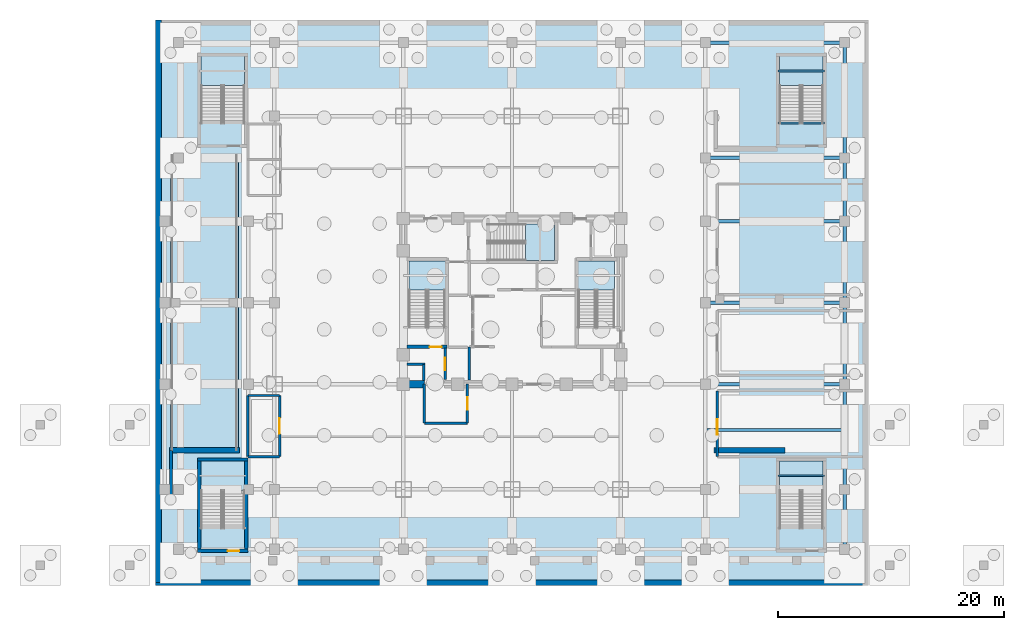
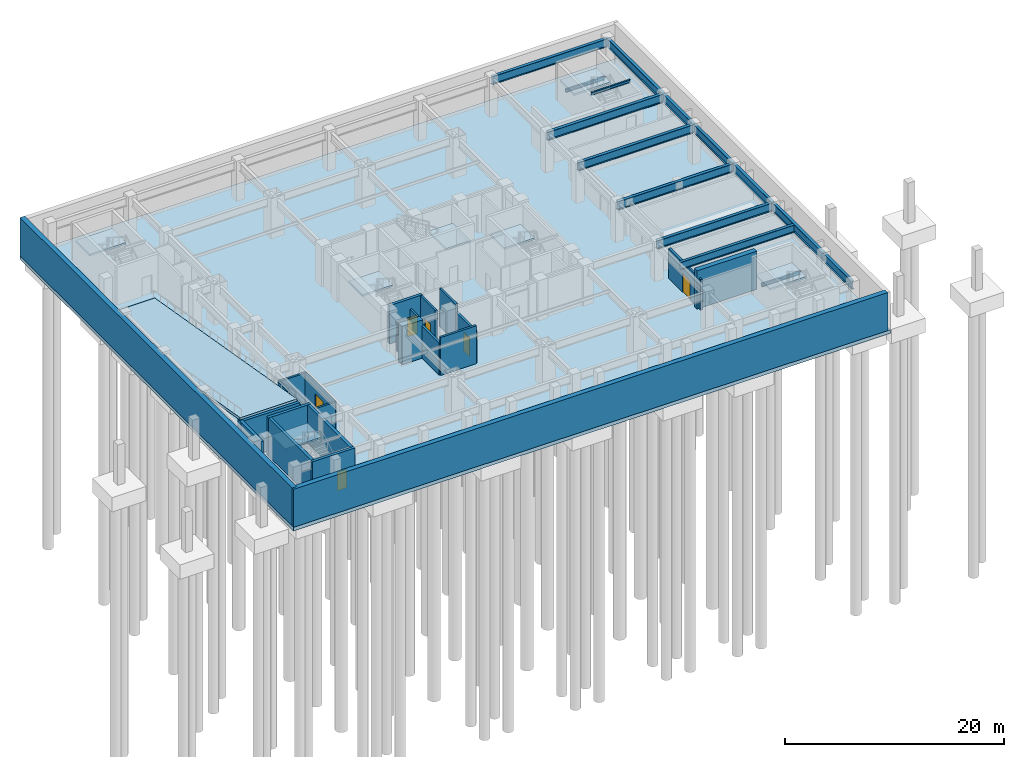
# One storey, part 4 of 12: 23 walls, 15 beams, 9 slabs, 6 doors, 6 openings, 7 elements without a shape of their own.
"""IFC4 building model written with IfcOpenShell, lengths in metres."""

from ifc_helpers import new_model, si_unit, direction, frame, frame_2d, origin, origin_2d, place, context, subcontext, project, spatial, polyline, rectangle, i_section, outline, extrude, material, layer, layer_set, material_profile, profile_set, type_object, element, fill, aggregate, save


model = new_model("IFC4")

# Units and contexts
model_context = context("Model", 3, precision=1e-05, world=origin(), true_north=direction((0.0, 1.0)))
body_context = subcontext(model_context, "Body", "Model", "MODEL_VIEW")
ifc_project = project(units=[si_unit("LENGTHUNIT", "METRE"), si_unit("AREAUNIT", "SQUARE_METRE"), si_unit("VOLUMEUNIT", "CUBIC_METRE"), si_unit("PLANEANGLEUNIT", "RADIAN"), si_unit("MASSUNIT", "GRAM", prefix="KILO")], contexts=[model_context])

# Site, building, storey
site_placement = place(None, origin())
site = spatial("IfcSite", under=ifc_project, at=site_placement, CompositionType="ELEMENT")
building_placement = place(site_placement, origin())
building = spatial("IfcBuilding", under=site, at=building_placement, Name="Vantalir Tower", CompositionType="ELEMENT")
storey_placement = place(building_placement, frame((0.0, 0.0, -9.0)))
storey = spatial("IfcBuildingStorey", under=building, at=storey_placement, Name="B02", CompositionType="ELEMENT", Elevation=-9.0)

# Beams
ifc_material_1 = material(Name="Steel S355", Category="steel")
ifc_material_profile_1 = material_profile(ifc_material_1, i_section(OverallWidth=0.166015625, OverallDepth=0.306884765625, WebThickness=0.006591796875, FlangeThickness=0.01171875, at=origin_2d()), Name="Steel S355")
ifc_profile_set_1 = profile_set([ifc_material_profile_1], Name="Steel S355")
beam_type_1 = type_object("IfcBeamType", Name="BM-JS-305x165", PredefinedType="JOIST", material=ifc_profile_set_1)
for number, where, z_axis, x_axis, name in (
    (1, (55.010009765625, 40.89501953125, 4.345947265625), (1.0, 0.0, 0.0), (0.0, 1.0, 0.0), "B01 Stair PST2 Well Nosing Trimmer Beam"),
    (2, (55.010009765625, 45.5048828125, 1.89599609375), (1.0, 0.0, 0.0), (0.0, 1.0, 0.0), "B02 Stair PST2 Half-Landing Support Beam"),
    (3, (55.010009765625, 9.705078125, 1.89599609375), (1.0, 0.0, 0.0), (0.0, 1.0, 0.0), "B02 Stair PST4 Half-Landing Support Beam"),
):
    element("IfcBeam", number, at=place(storey_placement, frame(where, z_axis=z_axis, x_axis=x_axis)), inside=storey, type_object=beam_type_1, Name=name, PredefinedType="JOIST", context=body_context, shape_type="SweptSolid", body=[
        extrude(i_section(OverallWidth=0.166015625, OverallDepth=0.306884765625, WebThickness=0.006591796875, FlangeThickness=0.01171875, at=origin_2d()), origin(), (0.0, 0.0, 1.0), 4.1298828125),
    ])
ifc_material_profile_2 = material_profile(ifc_material_1, i_section(OverallWidth=0.2939453125, OverallDepth=0.85107421875, WebThickness=0.01611328125, FlangeThickness=0.02685546875, at=origin_2d()), Name="Steel S355")
ifc_profile_set_2 = profile_set([ifc_material_profile_2], Name="Steel S355")
beam_type_2 = type_object("IfcBeamType", Name="BM-PG-838x292", PredefinedType="USERDEFINED", material=ifc_profile_set_2)
beam_1_placement = place(storey_placement, frame((48.7548828125, 13.75, 3.823974609375), z_axis=(1.0, 0.0, 0.0), x_axis=(0.0, 1.0, 0.0)))
element("IfcBeam", 4, at=beam_1_placement, inside=storey, type_object=beam_type_2, Name="B02 Vehicle Ramp VR1 Pocket Header Girder", ObjectType="GIRDER", PredefinedType="USERDEFINED", context=body_context, shape_type="SweptSolid", body=[
    extrude(i_section(OverallWidth=0.2939453125, OverallDepth=0.85107421875, WebThickness=0.01611328125, FlangeThickness=0.02685546875, at=origin_2d()), origin(), (0.0, 0.0, 1.0), 11.990234375),
])
ifc_material_profile_3 = material_profile(ifc_material_1, i_section(OverallWidth=0.30810546875, OverallDepth=0.927001953125, WebThickness=0.01953125, FlangeThickness=0.031982421875, at=origin_2d()), Name="Steel S355")
ifc_profile_set_3 = profile_set([ifc_material_profile_3], Name="Steel S355")
beam_type_3 = type_object("IfcBeamType", Name="BM-PG-914x305", PredefinedType="USERDEFINED", material=ifc_profile_set_3)
for number, where, z_axis, x_axis, name in (
    (5, (48.60009765625, 17.800048828125, 3.785888671875), (1.0, 0.0, 0.0), (0.0, 1.0, 0.0), "B02 Podium E-W Girder 19"),
    (6, (48.60009765625, 25.0, 3.785888671875), (1.0, 0.0, 0.0), (0.0, 1.0, 0.0), "B02 Podium E-W Girder 21"),
    (7, (48.60009765625, 32.199951171875, 3.785888671875), (1.0, 0.0, 0.0), (0.0, 1.0, 0.0), "B02 Podium E-W Girder 23"),
    (8, (48.60009765625, 37.800048828125, 3.785888671875), (1.0, 0.0, 0.0), (0.0, 1.0, 0.0), "B02 Podium E-W Girder 28"),
    (9, (48.60009765625, 48.0, 3.785888671875), (1.0, 0.0, 0.0), (0.0, 1.0, 0.0), "B02 Podium E-W Girder 37"),
):
    element("IfcBeam", number, at=place(storey_placement, frame(where, z_axis=z_axis, x_axis=x_axis)), inside=storey, type_object=beam_type_3, Name=name, ObjectType="GIRDER", PredefinedType="USERDEFINED", context=body_context, shape_type="SweptSolid", body=[
        extrude(i_section(OverallWidth=0.30810546875, OverallDepth=0.927001953125, WebThickness=0.01953125, FlangeThickness=0.031982421875, at=origin_2d()), origin(), (0.0, 0.0, 1.0), 12.2998046875),
    ])
beam_2_placement = place(storey_placement, frame((60.89990234375, 3.199951171875, 3.785888671875), z_axis=(0.0, 1.0, 0.0), x_axis=(-1.0, 0.0, 0.0)))
element("IfcBeam", 10, at=beam_2_placement, inside=storey, type_object=beam_type_3, Name="B02 Podium N-S Girder 74", ObjectType="GIRDER", PredefinedType="USERDEFINED", context=body_context, shape_type="SweptSolid", body=[
    extrude(i_section(OverallWidth=0.30810546875, OverallDepth=0.927001953125, WebThickness=0.01953125, FlangeThickness=0.031982421875, at=origin_2d()), origin(), (0.0, 0.0, 1.0), 5.300048828125),
])
beam_3_placement = place(storey_placement, frame((60.89990234375, 8.5, 3.785888671875), z_axis=(0.0, 1.0, 0.0), x_axis=(-1.0, 0.0, 0.0)))
element("IfcBeam", 11, at=beam_3_placement, inside=storey, type_object=beam_type_3, Name="B02 Podium N-S Girder 75", ObjectType="GIRDER", PredefinedType="USERDEFINED", context=body_context, shape_type="SweptSolid", body=[
    extrude(i_section(OverallWidth=0.30810546875, OverallDepth=0.927001953125, WebThickness=0.01953125, FlangeThickness=0.031982421875, at=origin_2d()), origin(), (0.0, 0.0, 1.0), 9.300048828125),
])
for number, where, z_axis, x_axis, name in (
    (12, (60.89990234375, 17.800048828125, 3.785888671875), (0.0, 1.0, 0.0), (-1.0, 0.0, 0.0), "B02 Podium N-S Girder 76"),
    (13, (60.89990234375, 25.0, 3.785888671875), (0.0, 1.0, 0.0), (-1.0, 0.0, 0.0), "B02 Podium N-S Girder 77"),
):
    element("IfcBeam", number, at=place(storey_placement, frame(where, z_axis=z_axis, x_axis=x_axis)), inside=storey, type_object=beam_type_3, Name=name, ObjectType="GIRDER", PredefinedType="USERDEFINED", context=body_context, shape_type="SweptSolid", body=[
        extrude(i_section(OverallWidth=0.30810546875, OverallDepth=0.927001953125, WebThickness=0.01953125, FlangeThickness=0.031982421875, at=origin_2d()), origin(), (0.0, 0.0, 1.0), 7.199951171875),
    ])
beam_4_placement = place(storey_placement, frame((60.89990234375, 32.199951171875, 3.785888671875), z_axis=(0.0, 1.0, 0.0), x_axis=(-1.0, 0.0, 0.0)))
element("IfcBeam", 14, at=beam_4_placement, inside=storey, type_object=beam_type_3, Name="B02 Podium N-S Girder 78", ObjectType="GIRDER", PredefinedType="USERDEFINED", context=body_context, shape_type="SweptSolid", body=[
    extrude(i_section(OverallWidth=0.30810546875, OverallDepth=0.927001953125, WebThickness=0.01953125, FlangeThickness=0.031982421875, at=origin_2d()), origin(), (0.0, 0.0, 1.0), 5.60009765625),
])
beam_5_placement = place(storey_placement, frame((60.89990234375, 37.800048828125, 3.785888671875), z_axis=(0.0, 1.0, 0.0), x_axis=(-1.0, 0.0, 0.0)))
element("IfcBeam", 15, at=beam_5_placement, inside=storey, type_object=beam_type_3, Name="B02 Podium N-S Girder 79", ObjectType="GIRDER", PredefinedType="USERDEFINED", context=body_context, shape_type="SweptSolid", body=[
    extrude(i_section(OverallWidth=0.30810546875, OverallDepth=0.927001953125, WebThickness=0.01953125, FlangeThickness=0.031982421875, at=origin_2d()), origin(), (0.0, 0.0, 1.0), 10.199951171875),
])

# Slab
ifc_material_2 = material(Name="Concrete C50/60", Category="concrete")
ifc_layer_1 = layer(ifc_material_2, 0.39990234375)
ifc_layer_set_1 = layer_set([ifc_layer_1], Name="Concrete C50/60")
slab_type_1 = type_object("IfcSlabType", Name="SL-BASE-400", PredefinedType="BASESLAB", material=ifc_layer_set_1)
slab_1_placement = place(storey_placement, frame((0.0, 0.0, -0.39990234375)))
element("IfcSlab", 16, at=slab_1_placement, inside=storey, type_object=slab_type_1, Name="B02 Primary Structural Slab", PredefinedType="BASESLAB", context=body_context, shape_type="SweptSolid", body=[
    extrude(outline(polyline([(0.0, 0.0), (63.0, 0.0), (63.0, 50.0), (0.0, 50.0), (0.0, 0.0)]), holes=[polyline([(7.320068359375, 36.320068359375), (1.280029296875, 36.320068359375), (1.280029296875, 38.02001953125), (7.320068359375, 38.02001953125), (7.320068359375, 36.320068359375)])]), origin(), (0.0, 0.0, 1.0), 0.39990234375),
])

# Stair, slab
ifc_material_3 = material(Name="Concrete C40/50", Category="concrete")
stair_type_1 = type_object("IfcStairType", Name="STR-CORE-1450", PredefinedType="HALF_TURN_STAIR", material=ifc_material_3)
stair_1_placement = place(storey_placement, origin())
stair_1 = element("IfcStair", 17, at=stair_1_placement, inside=storey, type_object=stair_type_1, Name="B02 Core Exit Stair 1", PredefinedType="HALF_TURN_STAIR")
ifc_layer_2 = layer(ifc_material_3, 0.199951171875)
ifc_layer_set_2 = layer_set([ifc_layer_2], Name="Concrete C40/50")
slab_type_2 = type_object("IfcSlabType", Name="SL-LAND-200", PredefinedType="LANDING", material=ifc_layer_set_2)
slab_2_placement = place(storey_placement, frame((0.0, 0.0, 2.050048828125)))
slab_2 = element("IfcSlab", 18, at=slab_2_placement, type_object=slab_type_2, Name="ST1 landing 1", PredefinedType="LANDING", context=body_context, shape_type="SweptSolid", body=[
    extrude(outline(polyline([(25.60009765625, 26.14990234375), (25.60009765625, 28.699951171875), (22.39990234375, 28.699951171875), (22.39990234375, 26.14990234375), (25.60009765625, 26.14990234375)])), origin(), (0.0, 0.0, 1.0), 0.199951171875),
])
aggregate(stair_1, [slab_2])

stair_2_placement = place(storey_placement, origin())
stair_2 = element("IfcStair", 19, at=stair_2_placement, inside=storey, type_object=stair_type_1, Name="B02 Core Exit Stair 2", PredefinedType="HALF_TURN_STAIR")
slab_3_placement = place(storey_placement, frame((0.0, 0.0, 2.050048828125)))
slab_3 = element("IfcSlab", 20, at=slab_3_placement, type_object=slab_type_2, Name="ST2 landing 1", PredefinedType="LANDING", context=body_context, shape_type="SweptSolid", body=[
    extrude(outline(polyline([(40.550048828125, 26.14990234375), (40.550048828125, 28.699951171875), (37.35009765625, 28.699951171875), (37.35009765625, 26.14990234375), (40.550048828125, 26.14990234375)])), origin(), (0.0, 0.0, 1.0), 0.199951171875),
])
aggregate(stair_2, [slab_3])

stair_3_placement = place(storey_placement, origin())
stair_3 = element("IfcStair", 21, at=stair_3_placement, inside=storey, type_object=stair_type_1, Name="B02 Core Exit Stair 3", PredefinedType="HALF_TURN_STAIR")
slab_4_placement = place(storey_placement, frame((0.0, 0.0, 2.050048828125)))
slab_4 = element("IfcSlab", 22, at=slab_4_placement, type_object=slab_type_2, Name="ST3 landing 1", PredefinedType="LANDING", context=body_context, shape_type="SweptSolid", body=[
    extrude(outline(polyline([(32.699951171875, 28.75), (35.25, 28.75), (35.25, 31.949951171875), (32.699951171875, 31.949951171875), (32.699951171875, 28.75)])), origin(), (0.0, 0.0, 1.0), 0.199951171875),
])
aggregate(stair_3, [slab_4])

stair_type_2 = type_object("IfcStairType", Name="STR-POD-1550", PredefinedType="HALF_TURN_STAIR", material=ifc_material_3)
stair_4_placement = place(storey_placement, origin())
stair_4 = element("IfcStair", 23, at=stair_4_placement, inside=storey, type_object=stair_type_2, Name="B02 Podium Exit Stair 1", PredefinedType="HALF_TURN_STAIR")
slab_5_placement = place(storey_placement, frame((0.0, 0.0, 2.050048828125)))
slab_5 = element("IfcSlab", 24, at=slab_5_placement, type_object=slab_type_2, Name="PST1 landing 1", PredefinedType="LANDING", context=body_context, shape_type="SweptSolid", body=[
    extrude(outline(polyline([(7.85009765625, 44.2099609375), (7.85009765625, 46.800048828125), (4.0, 46.800048828125), (4.0, 44.2099609375), (7.85009765625, 44.2099609375)])), origin(), (0.0, 0.0, 1.0), 0.199951171875),
])
aggregate(stair_4, [slab_5])

stair_5_placement = place(storey_placement, origin())
stair_5 = element("IfcStair", 25, at=stair_5_placement, inside=storey, type_object=stair_type_2, Name="B02 Podium Exit Stair 2", PredefinedType="HALF_TURN_STAIR")
slab_6_placement = place(storey_placement, frame((0.0, 0.0, 2.050048828125)))
slab_6 = element("IfcSlab", 26, at=slab_6_placement, type_object=slab_type_2, Name="PST2 landing 1", PredefinedType="LANDING", context=body_context, shape_type="SweptSolid", body=[
    extrude(outline(polyline([(59.0, 44.2099609375), (59.0, 46.800048828125), (55.14990234375, 46.800048828125), (55.14990234375, 44.2099609375), (59.0, 44.2099609375)])), origin(), (0.0, 0.0, 1.0), 0.199951171875),
])
aggregate(stair_5, [slab_6])

stair_6_placement = place(storey_placement, origin())
stair_6 = element("IfcStair", 27, at=stair_6_placement, inside=storey, type_object=stair_type_2, Name="B02 Podium Exit Stair 3", PredefinedType="HALF_TURN_STAIR")
slab_7_placement = place(storey_placement, frame((0.0, 0.0, 2.050048828125)))
slab_7 = element("IfcSlab", 28, at=slab_7_placement, type_object=slab_type_2, Name="PST3 landing 1", PredefinedType="LANDING", context=body_context, shape_type="SweptSolid", body=[
    extrude(outline(polyline([(7.85009765625, 8.409912109375), (7.85009765625, 11.0), (4.0, 11.0), (4.0, 8.409912109375), (7.85009765625, 8.409912109375)])), origin(), (0.0, 0.0, 1.0), 0.199951171875),
])
aggregate(stair_6, [slab_7])

stair_7_placement = place(storey_placement, origin())
stair_7 = element("IfcStair", 29, at=stair_7_placement, inside=storey, type_object=stair_type_2, Name="B02 Podium Exit Stair 4", PredefinedType="HALF_TURN_STAIR")
slab_8_placement = place(storey_placement, frame((0.0, 0.0, 2.050048828125)))
slab_8 = element("IfcSlab", 30, at=slab_8_placement, type_object=slab_type_2, Name="PST4 landing 1", PredefinedType="LANDING", context=body_context, shape_type="SweptSolid", body=[
    extrude(outline(polyline([(59.0, 8.409912109375), (59.0, 11.0), (55.14990234375, 11.0), (55.14990234375, 8.409912109375), (59.0, 8.409912109375)])), origin(), (0.0, 0.0, 1.0), 0.199951171875),
])
aggregate(stair_7, [slab_8])

# Slab
ifc_layer_3 = layer(ifc_material_3, 0.280029296875)
ifc_layer_set_3 = layer_set([ifc_layer_3], Name="Concrete C40/50")
slab_type_3 = type_object("IfcSlabType", Name="SLB-VEHRAMP-280B", PredefinedType="USERDEFINED", material=ifc_layer_set_3)
slab_9_placement = place(storey_placement, frame((4.300048828125, 37.9990234375, 0.0), z_axis=(0.0, 0.0, 1.0), x_axis=(0.0, -1.0, 0.0)))
element("IfcSlab", 31, at=slab_9_placement, inside=storey, type_object=slab_type_3, Name="Car Park Vehicle Ramp Slab VR-2 B02 to B01", ObjectType="VEHICLE RAMP SLAB", PredefinedType="USERDEFINED", context=body_context, shape_type="SweptSolid", body=[
    extrude(outline(polyline([(0.0, -0.280029296875), (0.0, 0.0), (25.998046875, 4.5), (25.998046875, 4.219970703125), (0.0, -0.280029296875)])), frame((0.0, 3.0, 0.0), z_axis=(0.0, -1.0, 0.0), x_axis=(1.0, 0.0, 0.0)), (0.0, 0.0, 1.0), 6.0),
])

# Walls
ifc_layer_4 = layer(ifc_material_2, 0.5)
ifc_layer_set_4 = layer_set([ifc_layer_4], Name="Concrete C50/60")
wall_type_1 = type_object("IfcWallType", Name="WL-BSMT-500", PredefinedType="SOLIDWALL", material=ifc_layer_set_4)
wall_1_placement = place(storey_placement, frame((0.0, 0.25, 0.0), z_axis=(0.0, 0.0, 1.0), x_axis=(1.0, 0.0, 0.0)))
element("IfcWall", 32, at=wall_1_placement, inside=storey, type_object=wall_type_1, Name="B02 Perimeter Retaining Wall S", PredefinedType="SOLIDWALL", context=body_context, shape_type="SweptSolid", body=[
    extrude(rectangle(XDim=62.75, YDim=0.5, at=frame_2d((31.375, 0.0))), origin(), (0.0, 0.0, 1.0), 4.25),
])
wall_2_placement = place(storey_placement, frame((0.25, 50.0, 0.0), z_axis=(0.0, 0.0, 1.0), x_axis=(0.0, -1.0, 0.0)))
element("IfcWall", 33, at=wall_2_placement, inside=storey, type_object=wall_type_1, Name="B02 Perimeter Retaining Wall W", PredefinedType="SOLIDWALL", context=body_context, shape_type="SweptSolid", body=[
    extrude(rectangle(XDim=49.75, YDim=0.5, at=frame_2d((24.875, 0.0))), origin(), (0.0, 0.0, 1.0), 4.25),
])
wall_3_placement = place(storey_placement, frame((49.35009765625, 11.949951171875, 0.0), z_axis=(0.0, 0.0, 1.0), x_axis=(1.0, 0.0, 0.0)))
element("IfcWall", 34, at=wall_3_placement, inside=storey, type_object=wall_type_1, Name="B02 Car Park Ramp VR1 Foot Abutment Wall", PredefinedType="SOLIDWALL", context=body_context, shape_type="SweptSolid", body=[
    extrude(rectangle(XDim=6.2998046875, YDim=0.5, at=frame_2d((3.14990234375, 0.0))), origin(), (0.0, 0.0, 1.0), 4.25),
])
wall_4_placement = place(storey_placement, frame((1.199951171875, 11.949951171875, 0.0), z_axis=(0.0, 0.0, 1.0), x_axis=(1.0, 0.0, 0.0)))
element("IfcWall", 35, at=wall_4_placement, inside=storey, type_object=wall_type_1, Name="B02 Car Park Ramp VR2 Head Abutment Wall", PredefinedType="SOLIDWALL", context=body_context, shape_type="SweptSolid", body=[
    extrude(rectangle(XDim=6.219970703125, YDim=0.5, at=frame_2d((3.10986328125, 0.0))), origin(), (0.0, 0.0, 1.0), 4.25),
])
ifc_material_4 = material(Name="Concrete C60/75", Category="concrete")
ifc_layer_5 = layer(ifc_material_4, 0.64990234375)
ifc_layer_set_5 = layer_set([ifc_layer_5], Name="Concrete C60/75")
wall_type_2 = type_object("IfcWallType", Name="WL-CORE-650", PredefinedType="SHEAR", material=ifc_layer_set_5)
wall_5_placement = place(storey_placement, frame((21.574951171875, 17.800048828125, 0.0), z_axis=(0.0, 0.0, 1.0), x_axis=(1.0, 0.0, 0.0)))
element("IfcWall", 36, at=wall_5_placement, inside=storey, type_object=wall_type_2, Name="B02 Core Shear Wall South-West", PredefinedType="SHEAR", context=body_context, shape_type="SweptSolid", body=[
    extrude(rectangle(XDim=2.175048828125, YDim=0.64990234375, at=frame_2d((1.08740234375, 0.0))), origin(), (0.0, 0.0, 1.0), 4.25),
])
ifc_material_5 = material(Name="Concrete blockwork with fireboard lining", Category="masonry")
ifc_layer_6 = layer(ifc_material_5, 0.219970703125)
ifc_layer_set_6 = layer_set([ifc_layer_6], Name="Concrete blockwork with fireboard lining")
wall_type_3 = type_object("IfcWallType", Name="WL-FFL-220", PredefinedType="PARTITIONING", material=ifc_layer_set_6)
wall_6_placement = place(storey_placement, frame((23.679931640625, 18.125, 0.0), z_axis=(0.0, 0.0, 1.0), x_axis=(0.0, 1.0, 0.0)))
element("IfcWall", 37, at=wall_6_placement, inside=storey, type_object=wall_type_3, Name="B02 West MEP Riser Wall E", PredefinedType="PARTITIONING", context=body_context, shape_type="SweptSolid", body=[
    extrude(rectangle(XDim=1.425048828125, YDim=0.219970703125, at=frame_2d((0.71240234375, 0.0))), origin(), (0.0, 0.0, 1.0), 4.22998046875),
])
wall_7_placement = place(storey_placement, frame((22.22509765625, 19.550048828125, 0.0), z_axis=(0.0, 0.0, 1.0), x_axis=(1.0, 0.0, 0.0)))
element("IfcWall", 38, at=wall_7_placement, inside=storey, type_object=wall_type_3, Name="B02 West MEP Riser Wall N", PredefinedType="PARTITIONING", context=body_context, shape_type="SweptSolid", body=[
    extrude(rectangle(XDim=1.56494140625, YDim=0.219970703125, at=frame_2d((0.782470703125, 0.0))), origin(), (0.0, 0.0, 1.0), 3.27490234375),
])

# Wall, opening, door
wall_8_placement = place(storey_placement, frame((25.590087890625, 18.219970703125, 0.0), z_axis=(0.0, 0.0, 1.0), x_axis=(0.0, 1.0, 0.0)))
wall_8 = element("IfcWall", 39, at=wall_8_placement, inside=storey, type_object=wall_type_3, Name="B02 Lift FL1 Shaft Front Wall", PredefinedType="PARTITIONING", context=body_context, shape_type="SweptSolid", body=[
    extrude(rectangle(XDim=2.760009765625, YDim=0.219970703125, at=frame_2d((1.3798828125, 0.0))), origin(), (0.0, 0.0, 1.0), 4.22998046875),
])
opening_1_placement = place(wall_8_placement, frame((0.830078125, 0.0, 0.0)))
opening_1 = element("IfcOpeningElement", 40, at=opening_1_placement, cuts=wall_8, Name="Opening LD-FL1", PredefinedType="OPENING", context=body_context, shape_type="SweptSolid", body=[
    extrude(rectangle(XDim=1.10009765625, YDim=2.199951171875, at=frame_2d((0.550048828125, 1.10009765625))), frame((0.0, 0.119873046875, 0.0), z_axis=(0.0, -1.0, 0.0), x_axis=(1.0, 0.0, 0.0)), (0.0, 0.0, 1.0), 0.239990234375),
])
ifc_material_6 = material(Name="Brushed stainless-steel sliding lift landing door", Category="steel")
door_type_1 = type_object("IfcDoorType", Name="DR-LIFT-LANDING-1100", OperationType="DOUBLE_DOOR_SLIDING", PredefinedType="DOOR", material=ifc_material_6)
door_1_placement = place(opening_1_placement, origin())
door_1 = element("IfcDoor", 41, at=door_1_placement, inside=storey, type_object=door_type_1, Name="B02 Lift Landing Door FL1", OperationType="DOUBLE_DOOR_SLIDING", OverallHeight=2.199951171875, OverallWidth=1.10009765625, PredefinedType="DOOR", context=body_context, shape_type="SweptSolid", body=[
    extrude(rectangle(XDim=1.10009765625, YDim=2.199951171875, at=frame_2d((0.550048828125, 1.10009765625))), frame((0.0, 0.02490234375, 0.0), z_axis=(0.0, -1.0, 0.0), x_axis=(1.0, 0.0, 0.0)), (0.0, 0.0, 1.0), 0.050048828125),
])
fill(opening_1, door_1)

# Walls
wall_9_placement = place(storey_placement, frame((27.699951171875, 18.14990234375, 0.0), z_axis=(0.0, 0.0, 1.0), x_axis=(0.0, 1.0, 0.0)))
element("IfcWall", 42, at=wall_9_placement, inside=storey, type_object=wall_type_3, Name="B02 Fire Lift FL1 Dividing Wall", PredefinedType="PARTITIONING", context=body_context, shape_type="SweptSolid", body=[
    extrude(rectangle(XDim=2.9501953125, YDim=0.219970703125, at=frame_2d((1.47509765625, 0.0))), origin(), (0.0, 0.0, 1.0), 4.22998046875),
])
wall_10_placement = place(storey_placement, frame((23.75, 14.35009765625, 0.0), z_axis=(0.0, 0.0, 1.0), x_axis=(0.0, 1.0, 0.0)))
element("IfcWall", 43, at=wall_10_placement, inside=storey, type_object=wall_type_3, Name="B02 Firefighting Lobby West Outer W", PredefinedType="PARTITIONING", context=body_context, shape_type="SweptSolid", body=[
    extrude(rectangle(XDim=3.449951171875, YDim=0.219970703125, at=frame_2d((1.72509765625, 0.0))), origin(), (0.0, 0.0, 1.0), 3.60791015625),
])
wall_11_placement = place(storey_placement, frame((23.75, 14.35009765625, 0.0), z_axis=(0.0, 0.0, 1.0), x_axis=(1.0, 0.0, 0.0)))
element("IfcWall", 44, at=wall_11_placement, inside=storey, type_object=wall_type_3, Name="B02 Firefighting Lobby West South Wall", PredefinedType="PARTITIONING", context=body_context, shape_type="SweptSolid", body=[
    extrude(rectangle(XDim=3.800048828125, YDim=0.219970703125, at=frame_2d((1.89990234375, 0.0))), origin(), (0.0, 0.0, 1.0), 4.22998046875),
])

# Wall, opening, door
wall_12_placement = place(storey_placement, frame((27.550048828125, 14.35009765625, 0.0), z_axis=(0.0, 0.0, 1.0), x_axis=(0.0, 1.0, 0.0)))
wall_12 = element("IfcWall", 45, at=wall_12_placement, inside=storey, type_object=wall_type_3, Name="B02 Firefighting Lobby West East Wall", PredefinedType="PARTITIONING", context=body_context, shape_type="SweptSolid", body=[
    extrude(rectangle(XDim=3.449951171875, YDim=0.219970703125, at=frame_2d((1.72509765625, 0.0))), origin(), (0.0, 0.0, 1.0), 3.60791015625),
])
opening_2_placement = place(wall_12_placement, frame((1.175048828125, 0.0, 0.0)))
opening_2 = element("IfcOpeningElement", 46, at=opening_2_placement, cuts=wall_12, Name="Opening D-FFL", PredefinedType="OPENING", context=body_context, shape_type="SweptSolid", body=[
    extrude(rectangle(XDim=1.10009765625, YDim=2.10009765625, at=frame_2d((0.550048828125, 1.050048828125))), frame((0.0, 0.119873046875, 0.0), z_axis=(0.0, -1.0, 0.0), x_axis=(1.0, 0.0, 0.0)), (0.0, 0.0, 1.0), 0.239990234375),
])
ifc_material_7 = material(Name="Fire-rated acoustic steel door", Category="steel")
door_type_2 = type_object("IfcDoorType", Name="DR-FIRE-LOBBY-1100", OperationType="NOTDEFINED", PredefinedType="DOOR", material=ifc_material_7)
door_2_placement = place(opening_2_placement, origin())
door_2 = element("IfcDoor", 47, at=door_2_placement, inside=storey, type_object=door_type_2, Name="B02 Firefighting Lobby West Access Door", OperationType="SINGLE_SWING_LEFT", OverallHeight=2.10009765625, OverallWidth=1.10009765625, PredefinedType="DOOR", context=body_context, shape_type="SweptSolid", body=[
    extrude(rectangle(XDim=1.10009765625, YDim=2.10009765625, at=frame_2d((0.550048828125, 1.050048828125))), frame((0.0, 0.02490234375, 0.0), z_axis=(0.0, -1.0, 0.0), x_axis=(1.0, 0.0, 0.0)), (0.0, 0.0, 1.0), 0.050048828125),
])
fill(opening_2, door_2)

wall_13_placement = place(storey_placement, frame((49.64990234375, 11.39990234375, 0.0), z_axis=(0.0, 0.0, 1.0), x_axis=(0.0, 1.0, 0.0)))
wall_13 = element("IfcWall", 48, at=wall_13_placement, inside=storey, type_object=wall_type_3, Name="B02 Monsoon Rainwater Harvesting Tank West Wall", PredefinedType="PARTITIONING", context=body_context, shape_type="SweptSolid", body=[
    extrude(rectangle(XDim=5.800048828125, YDim=0.219970703125, at=frame_2d((2.89990234375, 0.0))), origin(), (0.0, 0.0, 1.0), 3.3740234375),
])
opening_3_placement = place(wall_13_placement, frame((1.909912109375, 0.0, 0.0)))
opening_3 = element("IfcOpeningElement", 49, at=opening_3_placement, cuts=wall_13, Name="Opening D-PLANT", PredefinedType="OPENING", context=body_context, shape_type="SweptSolid", body=[
    extrude(rectangle(XDim=1.39990234375, YDim=2.10009765625, at=frame_2d((0.699951171875, 1.050048828125))), frame((0.0, 0.119873046875, 0.0), z_axis=(0.0, -1.0, 0.0), x_axis=(1.0, 0.0, 0.0)), (0.0, 0.0, 1.0), 0.239990234375),
])
ifc_material_8 = material(Name="Louvred fire-rated steel plant double door", Category="steel")
door_type_3 = type_object("IfcDoorType", Name="DR-PLANT-1400", OperationType="DOUBLE_DOOR_SINGLE_SWING", PredefinedType="DOOR", material=ifc_material_8)
door_3_placement = place(opening_3_placement, frame((1.39990234375, 0.0, 0.0), z_axis=(0.0, 0.0, 1.0), x_axis=(-1.0, 0.0, 0.0)))
door_3 = element("IfcDoor", 50, at=door_3_placement, inside=storey, type_object=door_type_3, Name="B02 Monsoon Rainwater Harvesting Tank Plant Door", OperationType="DOUBLE_DOOR_SINGLE_SWING", OverallHeight=2.10009765625, OverallWidth=1.39990234375, PredefinedType="DOOR", context=body_context, shape_type="SweptSolid", body=[
    extrude(rectangle(XDim=1.39990234375, YDim=2.10009765625, at=frame_2d((0.699951171875, 1.050048828125))), frame((0.0, 0.02490234375, 0.0), z_axis=(0.0, -1.0, 0.0), x_axis=(1.0, 0.0, 0.0)), (0.0, 0.0, 1.0), 0.050048828125),
])
fill(opening_3, door_3)

wall_14_placement = place(storey_placement, frame((10.949951171875, 11.39990234375, 0.0), z_axis=(0.0, 0.0, 1.0), x_axis=(0.0, 1.0, 0.0)))
wall_14 = element("IfcWall", 51, at=wall_14_placement, inside=storey, type_object=wall_type_3, Name="B02 Pump Plant East Wall", PredefinedType="PARTITIONING", context=body_context, shape_type="SweptSolid", body=[
    extrude(rectangle(XDim=5.400146484375, YDim=0.219970703125, at=frame_2d((2.7001953125, 0.0))), origin(), (0.0, 0.0, 1.0), 3.297119140625),
])
opening_4_placement = place(wall_14_placement, frame((2.0, 0.0, 0.0)))
opening_4 = element("IfcOpeningElement", 52, at=opening_4_placement, cuts=wall_14, Name="Opening D-PLANT", PredefinedType="OPENING", context=body_context, shape_type="SweptSolid", body=[
    extrude(rectangle(XDim=1.39990234375, YDim=2.10009765625, at=frame_2d((0.699951171875, 1.050048828125))), frame((0.0, 0.119873046875, 0.0), z_axis=(0.0, -1.0, 0.0), x_axis=(1.0, 0.0, 0.0)), (0.0, 0.0, 1.0), 0.239990234375),
])
door_4_placement = place(opening_4_placement, origin())
door_4 = element("IfcDoor", 53, at=door_4_placement, inside=storey, type_object=door_type_3, Name="B02 Pump Plant Door", OperationType="DOUBLE_DOOR_SINGLE_SWING", OverallHeight=2.10009765625, OverallWidth=1.39990234375, PredefinedType="DOOR", context=body_context, shape_type="SweptSolid", body=[
    extrude(rectangle(XDim=1.39990234375, YDim=2.10009765625, at=frame_2d((0.699951171875, 1.050048828125))), frame((0.0, 0.02490234375, 0.0), z_axis=(0.0, -1.0, 0.0), x_axis=(1.0, 0.0, 0.0)), (0.0, 0.0, 1.0), 0.050048828125),
])
fill(opening_4, door_4)

# Walls
for number, where, z_axis, x_axis, name in (
    (54, (8.14990234375, 11.39990234375, 0.0), (0.0, 0.0, 1.0), (1.0, 0.0, 0.0), "B02 Pump Plant South Wall"),
    (55, (8.14990234375, 16.800048828125, 0.0), (0.0, 0.0, 1.0), (1.0, 0.0, 0.0), "B02 Pump Plant North Wall"),
):
    element("IfcWall", number, at=place(storey_placement, frame(where, z_axis=z_axis, x_axis=x_axis)), inside=storey, type_object=wall_type_3, Name=name, PredefinedType="PARTITIONING", context=body_context, shape_type="SweptSolid", body=[
        extrude(rectangle(XDim=2.800048828125, YDim=0.219970703125, at=frame_2d((1.39990234375, 0.0))), origin(), (0.0, 0.0, 1.0), 3.297119140625),
    ])
wall_15_placement = place(storey_placement, frame((8.14990234375, 11.39990234375, 0.0), z_axis=(0.0, 0.0, 1.0), x_axis=(0.0, 1.0, 0.0)))
element("IfcWall", 56, at=wall_15_placement, inside=storey, type_object=wall_type_3, Name="B02 Pump Plant West Wall", PredefinedType="PARTITIONING", context=body_context, shape_type="SweptSolid", body=[
    extrude(rectangle(XDim=5.400146484375, YDim=0.219970703125, at=frame_2d((2.7001953125, 0.0))), origin(), (0.0, 0.0, 1.0), 3.297119140625),
])

# Wall, opening, door
ifc_layer_7 = layer(ifc_material_2, 0.300048828125)
ifc_layer_set_7 = layer_set([ifc_layer_7], Name="Concrete C50/60")
wall_type_4 = type_object("IfcWallType", Name="WL-STAIR-300", PredefinedType="SHEAR", material=ifc_layer_set_7)
wall_16_placement = place(storey_placement, frame((22.22509765625, 21.10009765625, 0.0), z_axis=(0.0, 0.0, 1.0), x_axis=(1.0, 0.0, 0.0)))
wall_16 = element("IfcWall", 57, at=wall_16_placement, inside=storey, type_object=wall_type_4, Name="B02 Stair ST1 South Wall", PredefinedType="SHEAR", context=body_context, shape_type="SweptSolid", body=[
    extrude(rectangle(XDim=3.514892578125, YDim=0.300048828125, at=frame_2d((1.75732421875, 0.0))), origin(), (0.0, 0.0, 1.0), 4.25),
])
opening_5_placement = place(wall_16_placement, frame((1.9951171875, 0.0, 0.0)))
opening_5 = element("IfcOpeningElement", 58, at=opening_5_placement, cuts=wall_16, Name="Opening D-ST", PredefinedType="OPENING", context=body_context, shape_type="SweptSolid", body=[
    extrude(rectangle(XDim=1.050048828125, YDim=2.10009765625, at=frame_2d((0.52490234375, 1.050048828125))), frame((0.0, 0.159912109375, 0.0), z_axis=(0.0, -1.0, 0.0), x_axis=(1.0, 0.0, 0.0)), (0.0, 0.0, 1.0), 0.320068359375),
])
ifc_material_9 = material(Name="Fire-rated steel door leaf", Category="steel")
door_type_4 = type_object("IfcDoorType", Name="DR-FIRE-STAIR-1050", OperationType="NOTDEFINED", PredefinedType="DOOR", material=ifc_material_9)
door_5_placement = place(opening_5_placement, origin())
door_5 = element("IfcDoor", 59, at=door_5_placement, inside=storey, type_object=door_type_4, Name="B02 Exit Stair ST1 Fire Door", OperationType="SINGLE_SWING_LEFT", OverallHeight=2.10009765625, OverallWidth=1.050048828125, PredefinedType="DOOR", context=body_context, shape_type="SweptSolid", body=[
    extrude(rectangle(XDim=1.050048828125, YDim=2.10009765625, at=frame_2d((0.52490234375, 1.050048828125))), frame((0.0, 0.02490234375, 0.0), z_axis=(0.0, -1.0, 0.0), x_axis=(1.0, 0.0, 0.0)), (0.0, 0.0, 1.0), 0.050048828125),
])
fill(opening_5, door_5)

wall_17_placement = place(storey_placement, frame((3.699951171875, 3.06005859375, 0.0), z_axis=(0.0, 0.0, 1.0), x_axis=(1.0, 0.0, 0.0)))
wall_17 = element("IfcWall", 60, at=wall_17_placement, inside=storey, type_object=wall_type_4, Name="B02 PST3 South Wall", PredefinedType="SHEAR", context=body_context, shape_type="SweptSolid", body=[
    extrude(rectangle(XDim=4.449951171875, YDim=0.300048828125, at=frame_2d((2.22509765625, 0.0))), origin(), (0.0, 0.0, 1.0), 4.25),
])
opening_6_placement = place(wall_17_placement, frame((2.64990234375, 0.0, 0.0)))
opening_6 = element("IfcOpeningElement", 61, at=opening_6_placement, cuts=wall_17, Name="Opening D-ST", PredefinedType="OPENING", context=body_context, shape_type="SweptSolid", body=[
    extrude(rectangle(XDim=1.050048828125, YDim=2.10009765625, at=frame_2d((0.52490234375, 1.050048828125))), frame((0.0, 0.159912109375, 0.0), z_axis=(0.0, -1.0, 0.0), x_axis=(1.0, 0.0, 0.0)), (0.0, 0.0, 1.0), 0.320068359375),
])
door_6_placement = place(opening_6_placement, origin())
door_6 = element("IfcDoor", 62, at=door_6_placement, inside=storey, type_object=door_type_4, Name="B02 Podium Stair PST3 Fire Door", OperationType="SINGLE_SWING_LEFT", OverallHeight=2.10009765625, OverallWidth=1.050048828125, PredefinedType="DOOR", context=body_context, shape_type="SweptSolid", body=[
    extrude(rectangle(XDim=1.050048828125, YDim=2.10009765625, at=frame_2d((0.52490234375, 1.050048828125))), frame((0.0, 0.02490234375, 0.0), z_axis=(0.0, -1.0, 0.0), x_axis=(1.0, 0.0, 0.0)), (0.0, 0.0, 1.0), 0.050048828125),
])
fill(opening_6, door_6)

# Walls
wall_18_placement = place(storey_placement, frame((3.699951171875, 11.139892578125, 0.0), z_axis=(0.0, 0.0, 1.0), x_axis=(1.0, 0.0, 0.0)))
element("IfcWall", 63, at=wall_18_placement, inside=storey, type_object=wall_type_4, Name="B02 PST3 North Wall", PredefinedType="SHEAR", context=body_context, shape_type="SweptSolid", body=[
    extrude(rectangle(XDim=4.449951171875, YDim=0.300048828125, at=frame_2d((2.22509765625, 0.0))), origin(), (0.0, 0.0, 1.0), 4.25),
])
for number, where, z_axis, x_axis, name in (
    (64, (3.860107421875, 3.06005859375, 0.0), (0.0, 0.0, 1.0), (0.0, 1.0, 0.0), "B02 PST3 West Wall"),
    (65, (7.989990234375, 3.06005859375, 0.0), (0.0, 0.0, 1.0), (0.0, 1.0, 0.0), "B02 PST3 East Wall"),
):
    element("IfcWall", number, at=place(storey_placement, frame(where, z_axis=z_axis, x_axis=x_axis)), inside=storey, type_object=wall_type_4, Name=name, PredefinedType="SHEAR", context=body_context, shape_type="SweptSolid", body=[
        extrude(rectangle(XDim=8.079833984375, YDim=0.300048828125, at=frame_2d((4.0400390625, 0.0))), origin(), (0.0, 0.0, 1.0), 4.25),
    ])
wall_19_placement = place(storey_placement, frame((1.35009765625, 8.050048828125, 0.0), z_axis=(0.0, 0.0, 1.0), x_axis=(0.0, 1.0, 0.0)))
element("IfcWall", 66, at=wall_19_placement, inside=storey, type_object=wall_type_4, Name="B02 Car Park Ramp VR2 West Bearing Wall", PredefinedType="SHEAR", context=body_context, shape_type="SweptSolid", body=[
    extrude(rectangle(XDim=3.89990234375, YDim=0.300048828125, at=frame_2d((1.949951171875, 0.0))), origin(), (0.0, 0.0, 1.0), 4.25),
])

save(model, "model.ifc")
